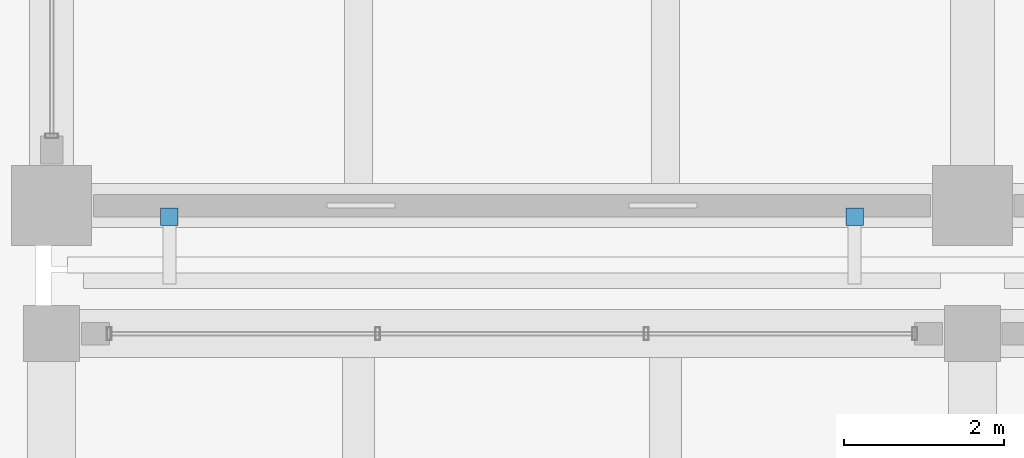
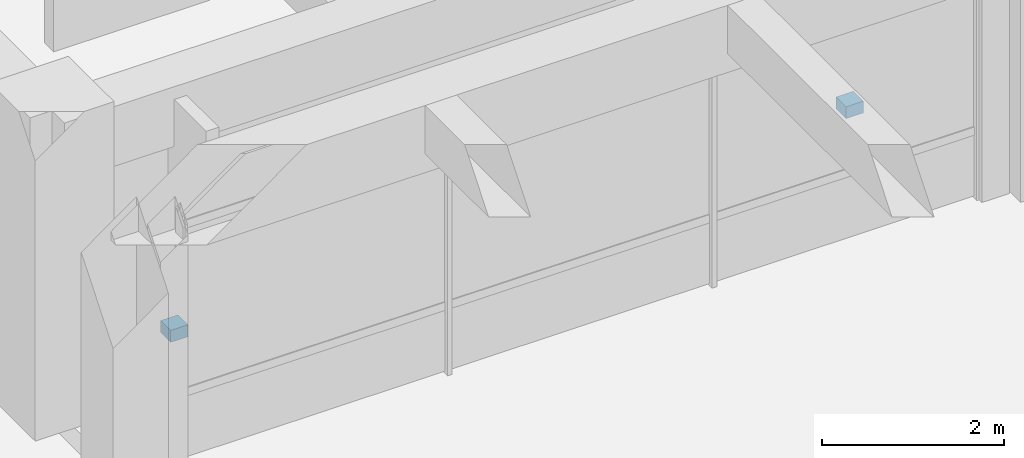
# One storey, part 96 of 109: 2 discrete accessories.
"""IFC4 building model written with IfcOpenShell, lengths in metres."""

from ifc_helpers import new_model, si_unit, direction, frame, origin, origin_2d, place, context, subcontext, project, spatial, rectangle, extrude, material, type_object, element, save


model = new_model("IFC4")

# Units and contexts
model_context = context("Model", 3, precision=1e-05, world=origin(), true_north=direction((0.0, 1.0)))
body_context = subcontext(model_context, "Body", "Model", "MODEL_VIEW")
ifc_project = project(units=[si_unit("LENGTHUNIT", "METRE"), si_unit("AREAUNIT", "SQUARE_METRE"), si_unit("VOLUMEUNIT", "CUBIC_METRE"), si_unit("PLANEANGLEUNIT", "RADIAN"), si_unit("MASSUNIT", "GRAM", prefix="KILO")], contexts=[model_context])

# Site, building, storey
site_placement = place(None, origin())
site = spatial("IfcSite", under=ifc_project, at=site_placement, CompositionType="ELEMENT")
building_placement = place(site_placement, origin())
building = spatial("IfcBuilding", under=site, at=building_placement, Name="Ologun Quay Terminus", CompositionType="ELEMENT")
storey_placement = place(building_placement, origin())
storey = spatial("IfcBuildingStorey", under=building, at=storey_placement, Name="L00", CompositionType="ELEMENT", Elevation=0.0)

# Discrete accessories
ifc_material = material(Name="Steel S355", Category="steel")
discrete_accessory_type = type_object("IfcDiscreteAccessoryType", Name="Solar Fin Stainless Support Bracket", PredefinedType="BRACKET", material=ifc_material)
for number, where, z_axis, x_axis, name in (
    (1, (116.469970703125, 85.659912109375, 0.52001953125), (0.0, 0.0, 1.0), (1.0, 0.0, 0.0), "BRK-01 Solar Fin Bracket WEW-EW-L00-1-1"),
    (2, (125.030029296875, 85.659912109375, 0.52001953125), (0.0, 0.0, 1.0), (1.0, 0.0, 0.0), "BRK-01 Solar Fin Bracket WEW-EW-L00-1-2"),
):
    element("IfcDiscreteAccessory", number, at=place(storey_placement, frame(where, z_axis=z_axis, x_axis=x_axis)), inside=storey, type_object=discrete_accessory_type, Name=name, PredefinedType="BRACKET", context=body_context, shape_type="SweptSolid", body=[
        extrude(rectangle(XDim=0.219970703125, YDim=0.219970703125, at=origin_2d()), origin(), (0.0, 0.0, 1.0), 0.159912109375),
    ])

save(model, "model.ifc")
